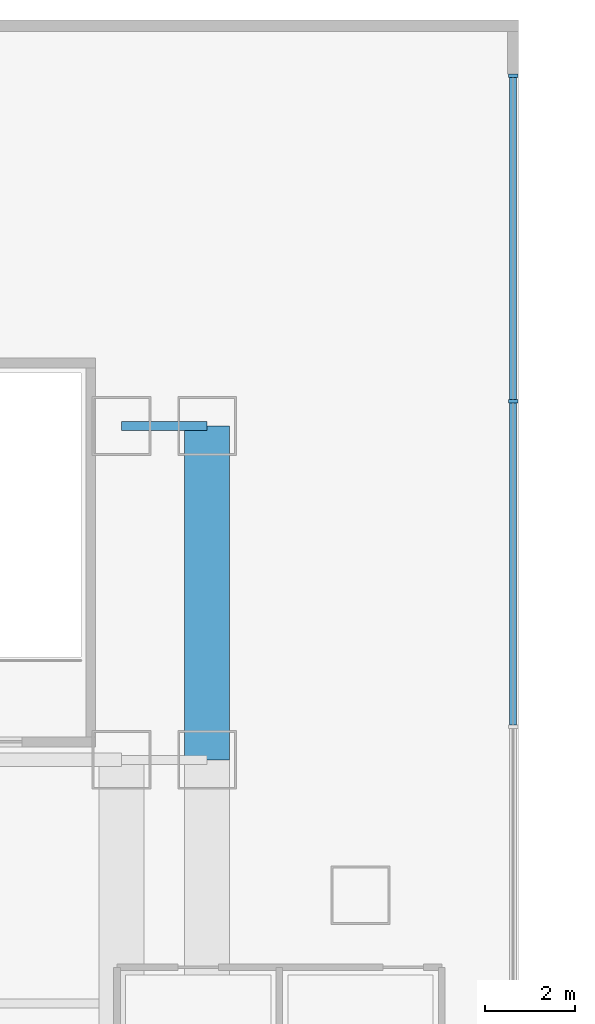
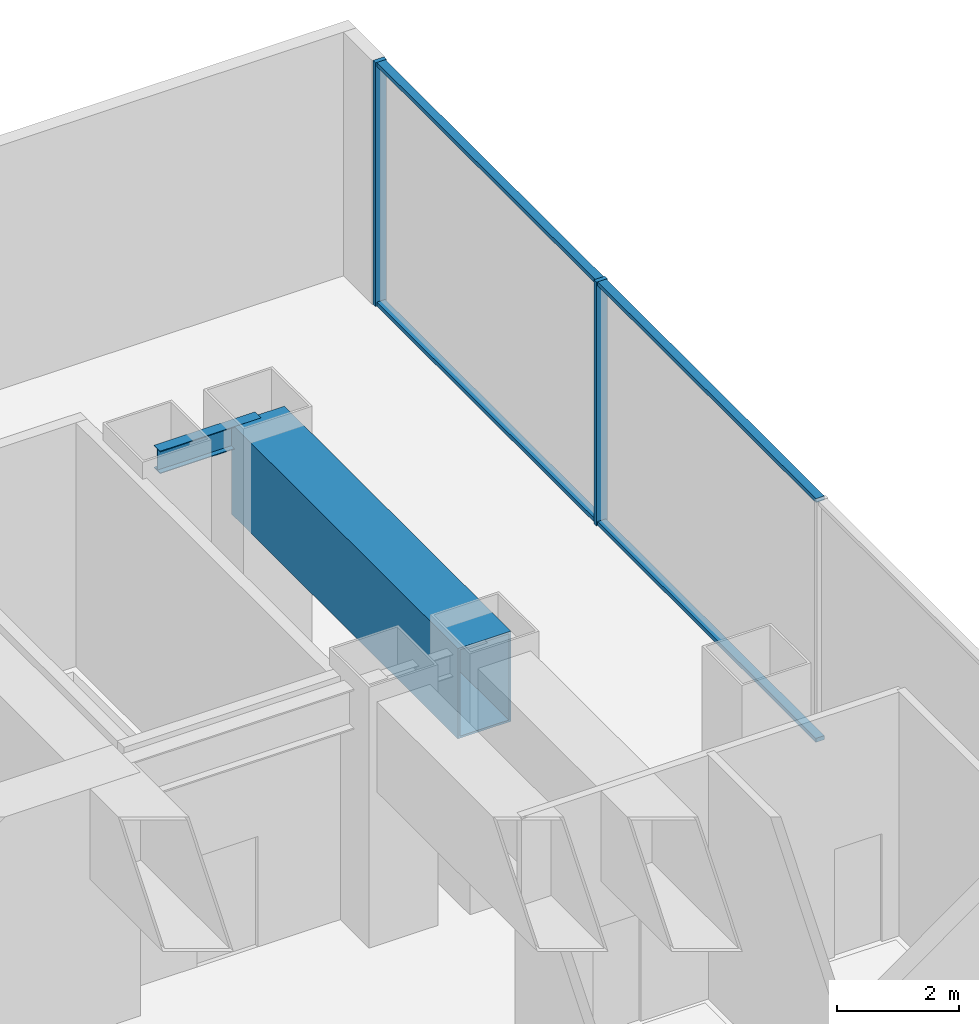
# One storey, part 6 of 12: 6 members, 2 beams, 1 element without a shape of its own.
"""IFC4 building model written with IfcOpenShell, lengths in metres."""

from ifc_helpers import new_model, si_unit, direction, frame, origin, origin_2d, place, context, subcontext, project, spatial, rectangle, hollow_rectangle, i_section, extrude, source, transform, mapped, material, layer, layer_set, material_profile, profile_set, type_object, element, aggregate, save


model = new_model("IFC4")

# Units and contexts
model_context = context("Model", 3, precision=1e-05, world=origin(), true_north=direction((0.0, 1.0)))
body_context = subcontext(model_context, "Body", "Model", "MODEL_VIEW")
ifc_project = project(units=[si_unit("LENGTHUNIT", "METRE"), si_unit("AREAUNIT", "SQUARE_METRE"), si_unit("VOLUMEUNIT", "CUBIC_METRE"), si_unit("PLANEANGLEUNIT", "RADIAN"), si_unit("MASSUNIT", "GRAM", prefix="KILO")], contexts=[model_context])

# Site, building, storey
site_placement = place(None, origin())
site = spatial("IfcSite", under=ifc_project, at=site_placement, CompositionType="ELEMENT")
building_placement = place(site_placement, origin())
building = spatial("IfcBuilding", under=site, at=building_placement, Name="Qianlan Lanfeng Residences", CompositionType="ELEMENT")
storey_placement = place(building_placement, frame((0.0, 0.0, 19.0)))
storey = spatial("IfcBuildingStorey", under=building, at=storey_placement, Name="L04", CompositionType="ELEMENT", Elevation=19.0)

# Beams
ifc_material_1 = material(Name="Steel SN490B", Category="steel")
ifc_material_profile_1 = material_profile(ifc_material_1, i_section(OverallWidth=0.199951171875, OverallDepth=0.449951171875, WebThickness=0.009033203125, FlangeThickness=0.013916015625, at=origin_2d()), Name="H 450x200x9x14")
ifc_profile_set_1 = profile_set([ifc_material_profile_1], Name="Steel SN490B")
beam_type_1 = type_object("IfcBeamType", Name="J-450", PredefinedType="JOIST", material=ifc_profile_set_1)
beam_1_placement = place(storey_placement, frame((47.699951171875, 32.60009765625, 4.635009765625), z_axis=(1.0, 0.0, 0.0), x_axis=(0.0, 1.0, 0.0)))
element("IfcBeam", 1, at=beam_1_placement, inside=storey, type_object=beam_type_1, Name="Structural beam J-450", PredefinedType="JOIST", context=body_context, shape_type="SweptSolid", body=[
    extrude(i_section(OverallWidth=0.199951171875, OverallDepth=0.449951171875, WebThickness=0.009033203125, FlangeThickness=0.013916015625, at=origin_2d()), origin(), (0.0, 0.0, 1.0), 1.900146484375),
])
ifc_material_2 = material(Name="Steel SM570 (420 MPa)", Category="steel")
ifc_material_profile_2 = material_profile(ifc_material_2, hollow_rectangle(XDim=1.0, YDim=1.800048828125, WallThickness=0.0400390625, at=origin_2d()), Name="BOX 1800x1000x40")
ifc_profile_set_2 = profile_set([ifc_material_profile_2], Name="Steel SM570 (420 MPa)")
beam_type_2 = type_object("IfcBeamType", Name="TG-2000", PredefinedType="BEAM", material=ifc_profile_set_2)
beam_2_placement = place(storey_placement, frame((49.60009765625, 25.199951171875, 3.9599609375), z_axis=(0.0, 1.0, 0.0), x_axis=(-1.0, 0.0, 0.0)))
element("IfcBeam", 2, at=beam_2_placement, inside=storey, type_object=beam_type_2, Name="Structural beam TG-2000", PredefinedType="BEAM", context=body_context, shape_type="SweptSolid", body=[
    extrude(hollow_rectangle(XDim=1.0, YDim=1.800048828125, WallThickness=0.0400390625, at=origin_2d()), origin(), (0.0, 0.0, 1.0), 7.400146484375),
])

# Curtain wall, members
ifc_material_3 = material(Name="Anodised Bronze Aluminium 6063-T6", Category="aluminium")
ifc_layer = layer(ifc_material_3, 0.219970703125)
ifc_layer_set = layer_set([ifc_layer], Name="Anodised Bronze Aluminium 6063-T6")
curtain_wall_type = type_object("IfcCurtainWallType", Name="CW-01", PredefinedType="NOTDEFINED", material=ifc_layer_set)
curtain_wall_placement = place(storey_placement, origin())
curtain_wall = element("IfcCurtainWall", 3, at=curtain_wall_placement, inside=storey, type_object=curtain_wall_type, Name="L04 Unitised Curtain Wall CWR-L04-E (CW-01)", PredefinedType="NOTDEFINED")
ifc_material_profile_3 = material_profile(ifc_material_3, rectangle(XDim=0.080078125, YDim=0.2099609375, at=origin_2d()), Name="ALU MULLION 80x210")
ifc_profile_set_3 = profile_set([ifc_material_profile_3], Name="Anodised Bronze Aluminium 6063-T6")
member_type_1 = type_object("IfcMemberType", Name="CWM-220", PredefinedType="MULLION", material=ifc_profile_set_3)
shared_shape_1 = source(origin(), body_context, "Body", "SweptSolid", [
    extrude(rectangle(XDim=0.080078125, YDim=0.2099609375, at=origin_2d()), origin(), (0.0, 0.0, 1.0), 4.860107421875),
])
member_1_placement = place(storey_placement, frame((56.3798828125, 33.146728515625, 0.0), z_axis=(0.0, 0.0, 1.0), x_axis=(0.0, 1.0, 0.0)))
member_1 = element("IfcMember", 4, at=member_1_placement, type_object=member_type_1, Name="CWR-L04-E Mullion 6", PredefinedType="MULLION", context=body_context, shape_type="MappedRepresentation", body=[
    mapped(shared_shape_1, transform((0.0, 0.0, 0.0), scale=1.0)),
])
member_2_placement = place(storey_placement, frame((56.3798828125, 40.360107421875, 0.0), z_axis=(0.0, 0.0, 1.0), x_axis=(0.0, 1.0, 0.0)))
member_2 = element("IfcMember", 5, at=member_2_placement, type_object=member_type_1, Name="CWR-L04-E Mullion 7", PredefinedType="MULLION", context=body_context, shape_type="MappedRepresentation", body=[
    mapped(shared_shape_1, transform((0.0, 0.0, 0.0), scale=1.0)),
])
ifc_material_profile_4 = material_profile(ifc_material_3, rectangle(XDim=0.080078125, YDim=0.159912109375, at=origin_2d()), Name="ALU TRANSOM 80x160")
ifc_profile_set_4 = profile_set([ifc_material_profile_4], Name="Anodised Bronze Aluminium 6063-T6")
member_type_2 = type_object("IfcMemberType", Name="CWT-180", PredefinedType="USERDEFINED", material=ifc_profile_set_4)
shared_shape_2 = source(origin(), body_context, "Body", "SweptSolid", [
    extrude(rectangle(XDim=0.080078125, YDim=0.159912109375, at=origin_2d()), origin(), (0.0, 0.0, 1.0), 7.13330078125),
])
member_3_placement = place(storey_placement, frame((56.3798828125, 25.973388671875, 0.0400390625), z_axis=(0.0, 1.0, 0.0), x_axis=(0.0, 0.0, 1.0)))
member_3 = element("IfcMember", 6, at=member_3_placement, type_object=member_type_2, Name="CWR-L04-E Transom 5-BOT", ObjectType="TRANSOM", PredefinedType="USERDEFINED", context=body_context, shape_type="MappedRepresentation", body=[
    mapped(shared_shape_2, transform((0.0, 0.0, 0.0), scale=1.0)),
])
member_4_placement = place(storey_placement, frame((56.3798828125, 25.973388671875, 4.820068359375), z_axis=(0.0, 1.0, 0.0), x_axis=(0.0, 0.0, 1.0)))
member_4 = element("IfcMember", 7, at=member_4_placement, type_object=member_type_2, Name="CWR-L04-E Transom 5-TOP", ObjectType="TRANSOM", PredefinedType="USERDEFINED", context=body_context, shape_type="MappedRepresentation", body=[
    mapped(shared_shape_2, transform((0.0, 0.0, 0.0), scale=1.0)),
])
member_5_placement = place(storey_placement, frame((56.3798828125, 33.186767578125, 0.0400390625), z_axis=(0.0, 1.0, 0.0), x_axis=(0.0, 0.0, 1.0)))
member_5 = element("IfcMember", 8, at=member_5_placement, type_object=member_type_2, Name="CWR-L04-E Transom 6-BOT", ObjectType="TRANSOM", PredefinedType="USERDEFINED", context=body_context, shape_type="MappedRepresentation", body=[
    mapped(shared_shape_2, transform((0.0, 0.0, 0.0), scale=1.0)),
])
member_6_placement = place(storey_placement, frame((56.3798828125, 33.186767578125, 4.820068359375), z_axis=(0.0, 1.0, 0.0), x_axis=(0.0, 0.0, 1.0)))
member_6 = element("IfcMember", 9, at=member_6_placement, type_object=member_type_2, Name="CWR-L04-E Transom 6-TOP", ObjectType="TRANSOM", PredefinedType="USERDEFINED", context=body_context, shape_type="MappedRepresentation", body=[
    mapped(shared_shape_2, transform((0.0, 0.0, 0.0), scale=1.0)),
])
aggregate(curtain_wall, [member_1, member_2, member_3, member_4, member_5, member_6])

save(model, "model.ifc")
